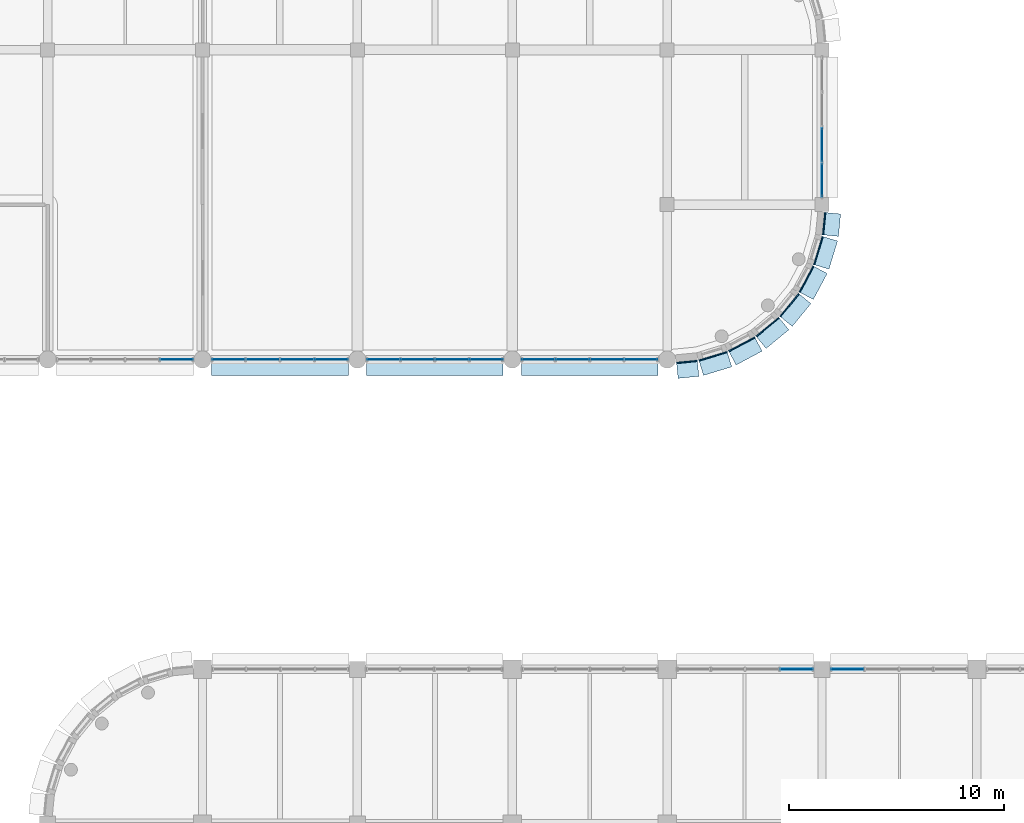
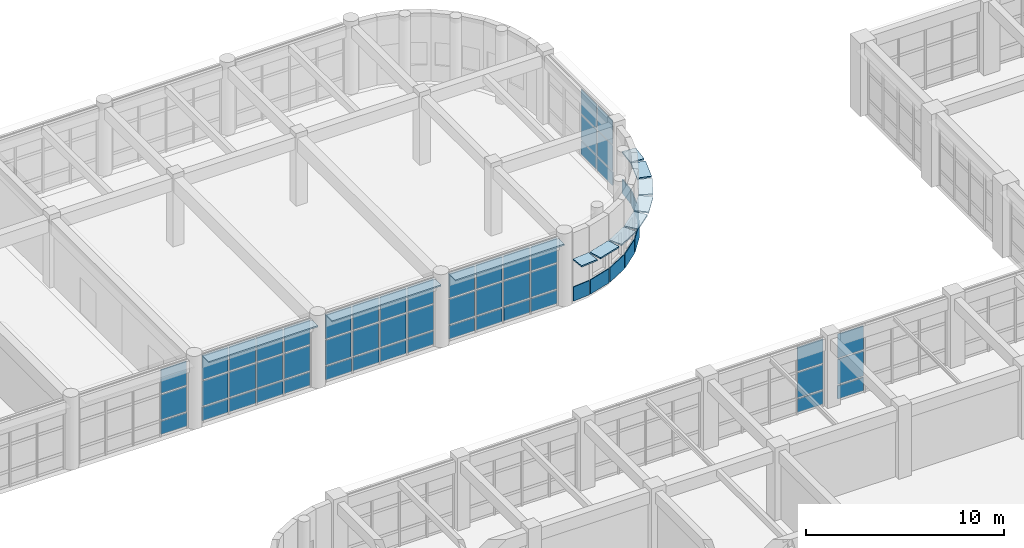
# One storey, part 125 of 171: 70 plates, 7 elements without a shape of their own.
"""IFC4 building model written with IfcOpenShell, lengths in metres."""

from ifc_helpers import new_model, si_unit, direction, frame, origin, origin_2d, place, context, subcontext, project, spatial, rectangle, extrude, material, layer, layer_set, type_object, element, aggregate, save


model = new_model("IFC4")

# Units and contexts
model_context = context("Model", 3, precision=1e-05, world=origin(), true_north=direction((0.0, 1.0)))
body_context = subcontext(model_context, "Body", "Model", "MODEL_VIEW")
ifc_project = project(units=[si_unit("LENGTHUNIT", "METRE"), si_unit("AREAUNIT", "SQUARE_METRE"), si_unit("VOLUMEUNIT", "CUBIC_METRE"), si_unit("PLANEANGLEUNIT", "RADIAN"), si_unit("MASSUNIT", "GRAM", prefix="KILO")], contexts=[model_context])

# Site, building, storey
site_placement = place(None, origin())
site = spatial("IfcSite", under=ifc_project, at=site_placement, CompositionType="ELEMENT")
building_placement = place(site_placement, origin())
building = spatial("IfcBuilding", under=site, at=building_placement, Name="Thalmaran Polytechnic", CompositionType="ELEMENT")
storey_placement = place(building_placement, frame((0.0, 0.0, 5.39990234375)))
storey = spatial("IfcBuildingStorey", under=building, at=storey_placement, Name="L01", CompositionType="ELEMENT", Elevation=5.39990234375)

# Plates
ifc_material_1 = material(Name="Anodised aluminium spandrel band", Category="aluminium")
ifc_layer_1 = layer(ifc_material_1, 0.054931640625, Name="Anodised aluminium spandrel band")
ifc_layer_set_1 = layer_set([ifc_layer_1], Name="Anodised aluminium spandrel band")
plate_type_1 = type_object("IfcPlateType", Name="PT-BD01", PredefinedType="SHEET", material=ifc_layer_set_1)
plate_1_placement = place(storey_placement, frame((93.694091796875, 56.71826171875, 0.020263671875), z_axis=(0.0, 0.0, 1.0), x_axis=(-0.09801714033, -0.995184726672, 0.0)))
element("IfcPlate", 1, at=plate_1_placement, inside=storey, type_object=plate_type_1, Name="Streamline Horizontal Spandrel Band L01-153", PredefinedType="SHEET", context=body_context, shape_type="SweptSolid", body=[
    extrude(rectangle(XDim=1.04638671875, YDim=0.054931640625, at=origin_2d()), origin(), (0.0, 0.0, 1.0), 0.8798828125),
])
for number, where, z_axis, x_axis, name in (
    (2, (93.428955078125, 55.4677734375, 0.020263671875), (0.0, 0.0, 1.0), (-0.290284677254, -0.956940335732, 0.0), "Streamline Horizontal Spandrel Band L01-154"),
    (3, (92.8779296875, 54.137451171875, 0.020263671875), (0.0, 0.0, 1.0), (-0.471396736826, -0.881921264348, 0.0), "Streamline Horizontal Spandrel Band L01-155"),
    (4, (92.089599609375, 52.9306640625, 0.020263671875), (0.0, 0.0, 1.0), (-0.634393284164, -0.773010453363, 0.0), "Streamline Horizontal Spandrel Band L01-156"),
    (5, (91.0693359375, 51.910400390625, 0.020263671875), (0.0, 0.0, 1.0), (-0.773010453363, -0.634393284164, 0.0), "Streamline Horizontal Spandrel Band L01-157"),
    (6, (89.86962890625, 51.10888671875, 0.020263671875), (0.0, 0.0, 1.0), (-0.881921264348, -0.471396736826, 0.0), "Streamline Horizontal Spandrel Band L01-158"),
    (7, (88.53662109375, 50.556640625, 0.020263671875), (0.0, 0.0, 1.0), (-0.956940335732, -0.290284677254, 0.0), "Streamline Horizontal Spandrel Band L01-159"),
):
    element("IfcPlate", number, at=place(storey_placement, frame(where, z_axis=z_axis, x_axis=x_axis)), inside=storey, type_object=plate_type_1, Name=name, PredefinedType="SHEET", context=body_context, shape_type="SweptSolid", body=[
        extrude(rectangle(XDim=1.371337890625, YDim=0.054931640625, at=origin_2d()), origin(), (0.0, 0.0, 1.0), 0.8798828125),
    ])
plate_2_placement = place(storey_placement, frame((87.320556640625, 50.294677734375, 0.020263671875), z_axis=(0.0, 0.0, 1.0), x_axis=(-0.995184726672, -0.09801714033, 0.0)))
element("IfcPlate", 8, at=plate_2_placement, inside=storey, type_object=plate_type_1, Name="Streamline Horizontal Spandrel Band L01-160", PredefinedType="SHEET", context=body_context, shape_type="SweptSolid", body=[
    extrude(rectangle(XDim=0.971435546875, YDim=0.054931640625, at=origin_2d()), origin(), (0.0, 0.0, 1.0), 0.8798828125),
])
ifc_material_2 = material(Name="Anodised aluminium sun-hood eyebrow", Category="aluminium")
ifc_layer_2 = layer(ifc_material_2, 0.0849609375, Name="Anodised aluminium sun-hood eyebrow")
ifc_layer_set_2 = layer_set([ifc_layer_2], Name="Anodised aluminium sun-hood eyebrow")
plate_type_2 = type_object("IfcPlateType", Name="PT-EB01", PredefinedType="SHEET", material=ifc_layer_set_2)
plate_3_placement = place(storey_placement, frame((94.037353515625, 56.6845703125, 2.517578125), z_axis=(0.0, 0.0, 1.0), x_axis=(-0.09801714033, -0.995184726672, 0.0)))
element("IfcPlate", 9, at=plate_3_placement, inside=storey, type_object=plate_type_2, Name="Streamline Sun-Hood Eyebrow L01-153", PredefinedType="SHEET", context=body_context, shape_type="SweptSolid", body=[
    extrude(rectangle(XDim=1.04638671875, YDim=0.760009765625, at=origin_2d()), origin(), (0.0, 0.0, 1.0), 0.0849609375),
])
for number, where, z_axis, x_axis, name in (
    (10, (93.75927734375, 55.36767578125, 2.517578125), (0.0, 0.0, 1.0), (-0.290284677254, -0.956940335732, 0.0), "Streamline Sun-Hood Eyebrow L01-154"),
    (11, (93.182373046875, 53.974853515625, 2.517578125), (0.0, 0.0, 1.0), (-0.471396736826, -0.881921264348, 0.0), "Streamline Sun-Hood Eyebrow L01-155"),
    (12, (92.356201171875, 52.711669921875, 2.517578125), (0.0, 0.0, 1.0), (-0.634393284164, -0.773010453363, 0.0), "Streamline Sun-Hood Eyebrow L01-156"),
    (13, (91.288330078125, 51.643798828125, 2.517578125), (0.0, 0.0, 1.0), (-0.773010453363, -0.634393284164, 0.0), "Streamline Sun-Hood Eyebrow L01-157"),
    (14, (90.0322265625, 50.804443359375, 2.517578125), (0.0, 0.0, 1.0), (-0.881921264348, -0.471396736826, 0.0), "Streamline Sun-Hood Eyebrow L01-158"),
    (15, (88.63671875, 50.2265625, 2.517578125), (0.0, 0.0, 1.0), (-0.956940335732, -0.290284677254, 0.0), "Streamline Sun-Hood Eyebrow L01-159"),
):
    element("IfcPlate", number, at=place(storey_placement, frame(where, z_axis=z_axis, x_axis=x_axis)), inside=storey, type_object=plate_type_2, Name=name, PredefinedType="SHEET", context=body_context, shape_type="SweptSolid", body=[
        extrude(rectangle(XDim=1.371337890625, YDim=0.760009765625, at=origin_2d()), origin(), (0.0, 0.0, 1.0), 0.0849609375),
    ])
plate_4_placement = place(storey_placement, frame((87.354248046875, 49.951416015625, 2.517578125), z_axis=(0.0, 0.0, 1.0), x_axis=(-0.995184726672, -0.09801714033, 0.0)))
element("IfcPlate", 16, at=plate_4_placement, inside=storey, type_object=plate_type_2, Name="Streamline Sun-Hood Eyebrow L01-160", PredefinedType="SHEET", context=body_context, shape_type="SweptSolid", body=[
    extrude(rectangle(XDim=0.971435546875, YDim=0.760009765625, at=origin_2d()), origin(), (0.0, 0.0, 1.0), 0.0849609375),
])
for number, where, z_axis, x_axis, name in (
    (17, (82.800048828125, 50.0400390625, 4.107666015625), (0.0, 0.0, 1.0), (-1.0, 0.0, 0.0), "Streamline Sun-Hood Eyebrow L01-CW149"),
    (18, (75.60009765625, 50.0400390625, 4.107666015625), (0.0, 0.0, 1.0), (-1.0, 0.0, 0.0), "Streamline Sun-Hood Eyebrow L01-CW150"),
    (19, (68.39990234375, 50.0400390625, 4.107666015625), (0.0, 0.0, 1.0), (-1.0, 0.0, 0.0), "Streamline Sun-Hood Eyebrow L01-CW151"),
):
    element("IfcPlate", number, at=place(storey_placement, frame(where, z_axis=z_axis, x_axis=x_axis)), inside=storey, type_object=plate_type_2, Name=name, PredefinedType="SHEET", context=body_context, shape_type="SweptSolid", body=[
        extrude(rectangle(XDim=6.360107421875, YDim=0.760009765625, at=origin_2d()), origin(), (0.0, 0.0, 1.0), 0.0849609375),
    ])

# Curtain wall, plates
ifc_material_3 = material(Name="Aluminium 6063-T6", Category="aluminium")
curtain_wall_type_1 = type_object("IfcCurtainWallType", Name="CW-SC01", PredefinedType="USERDEFINED", material=ifc_material_3)
curtain_wall_1_placement = place(storey_placement, origin())
curtain_wall_1 = element("IfcCurtainWall", 20, at=curtain_wall_1_placement, inside=storey, type_object=curtain_wall_type_1, Name="Curtain Wall CW-L01-150", ObjectType="STICK CURTAIN WALL", PredefinedType="USERDEFINED")
ifc_material_4 = material(Name="Solar-control double low-E glass", Category="glass")
ifc_layer_3 = layer(ifc_material_4, 0.035888671875, Name="Solar-control double low-E glass")
ifc_layer_set_3 = layer_set([ifc_layer_3], Name="Solar-control double low-E glass")
plate_type_3 = type_object("IfcPlateType", Name="PT-GL01", PredefinedType="CURTAIN_PANEL", material=ifc_layer_set_3)
plate_5_placement = place(storey_placement, frame((78.0, 50.39990234375, 1.000244140625), z_axis=(0.0, 0.0, 1.0), x_axis=(-1.0, 0.0, 0.0)))
plate_5 = element("IfcPlate", 21, at=plate_5_placement, type_object=plate_type_3, Name="CW-L01-150 Vision Panel 1-2", PredefinedType="CURTAIN_PANEL", context=body_context, shape_type="SweptSolid", body=[
    extrude(rectangle(XDim=1.5, YDim=0.035888671875, at=origin_2d()), origin(), (0.0, 0.0, 1.0), 1.544921875),
])
plate_6_placement = place(storey_placement, frame((78.0, 50.39990234375, 2.625), z_axis=(0.0, 0.0, 1.0), x_axis=(-1.0, 0.0, 0.0)))
plate_6 = element("IfcPlate", 22, at=plate_6_placement, type_object=plate_type_3, Name="CW-L01-150 Vision Panel 1-3", PredefinedType="CURTAIN_PANEL", context=body_context, shape_type="SweptSolid", body=[
    extrude(rectangle(XDim=1.5, YDim=0.035888671875, at=origin_2d()), origin(), (0.0, 0.0, 1.0), 1.485107421875),
])
plate_7_placement = place(storey_placement, frame((76.39990234375, 50.39990234375, 1.000244140625), z_axis=(0.0, 0.0, 1.0), x_axis=(-1.0, 0.0, 0.0)))
plate_7 = element("IfcPlate", 23, at=plate_7_placement, type_object=plate_type_3, Name="CW-L01-150 Vision Panel 2-2", PredefinedType="CURTAIN_PANEL", context=body_context, shape_type="SweptSolid", body=[
    extrude(rectangle(XDim=1.5, YDim=0.035888671875, at=origin_2d()), origin(), (0.0, 0.0, 1.0), 1.544921875),
])
plate_8_placement = place(storey_placement, frame((76.39990234375, 50.39990234375, 2.625), z_axis=(0.0, 0.0, 1.0), x_axis=(-1.0, 0.0, 0.0)))
plate_8 = element("IfcPlate", 24, at=plate_8_placement, type_object=plate_type_3, Name="CW-L01-150 Vision Panel 2-3", PredefinedType="CURTAIN_PANEL", context=body_context, shape_type="SweptSolid", body=[
    extrude(rectangle(XDim=1.5, YDim=0.035888671875, at=origin_2d()), origin(), (0.0, 0.0, 1.0), 1.485107421875),
])
plate_9_placement = place(storey_placement, frame((74.800048828125, 50.39990234375, 1.000244140625), z_axis=(0.0, 0.0, 1.0), x_axis=(-1.0, 0.0, 0.0)))
plate_9 = element("IfcPlate", 25, at=plate_9_placement, type_object=plate_type_3, Name="CW-L01-150 Vision Panel 3-2", PredefinedType="CURTAIN_PANEL", context=body_context, shape_type="SweptSolid", body=[
    extrude(rectangle(XDim=1.5, YDim=0.035888671875, at=origin_2d()), origin(), (0.0, 0.0, 1.0), 1.544921875),
])
plate_10_placement = place(storey_placement, frame((74.800048828125, 50.39990234375, 2.625), z_axis=(0.0, 0.0, 1.0), x_axis=(-1.0, 0.0, 0.0)))
plate_10 = element("IfcPlate", 26, at=plate_10_placement, type_object=plate_type_3, Name="CW-L01-150 Vision Panel 3-3", PredefinedType="CURTAIN_PANEL", context=body_context, shape_type="SweptSolid", body=[
    extrude(rectangle(XDim=1.5, YDim=0.035888671875, at=origin_2d()), origin(), (0.0, 0.0, 1.0), 1.485107421875),
])
plate_11_placement = place(storey_placement, frame((73.199951171875, 50.39990234375, 1.000244140625), z_axis=(0.0, 0.0, 1.0), x_axis=(-1.0, 0.0, 0.0)))
plate_11 = element("IfcPlate", 27, at=plate_11_placement, type_object=plate_type_3, Name="CW-L01-150 Vision Panel 4-2", PredefinedType="CURTAIN_PANEL", context=body_context, shape_type="SweptSolid", body=[
    extrude(rectangle(XDim=1.5, YDim=0.035888671875, at=origin_2d()), origin(), (0.0, 0.0, 1.0), 1.544921875),
])
plate_12_placement = place(storey_placement, frame((73.199951171875, 50.39990234375, 2.625), z_axis=(0.0, 0.0, 1.0), x_axis=(-1.0, 0.0, 0.0)))
plate_12 = element("IfcPlate", 28, at=plate_12_placement, type_object=plate_type_3, Name="CW-L01-150 Vision Panel 4-3", PredefinedType="CURTAIN_PANEL", context=body_context, shape_type="SweptSolid", body=[
    extrude(rectangle(XDim=1.5, YDim=0.035888671875, at=origin_2d()), origin(), (0.0, 0.0, 1.0), 1.485107421875),
])

curtain_wall_2_placement = place(storey_placement, origin())
curtain_wall_2 = element("IfcCurtainWall", 29, at=curtain_wall_2_placement, inside=storey, type_object=curtain_wall_type_1, Name="Curtain Wall CW-L01-151", ObjectType="STICK CURTAIN WALL", PredefinedType="USERDEFINED")
ifc_layer_4 = layer(ifc_material_4, 0.035888671875, Name="Solar-control double low-E glass")
ifc_layer_set_4 = layer_set([ifc_layer_4], Name="Solar-control double low-E glass")
plate_type_4 = type_object("IfcPlateType", Name="PT-GL02", PredefinedType="CURTAIN_PANEL", material=ifc_layer_set_4)
plate_13_placement = place(storey_placement, frame((70.800048828125, 50.39990234375, 1.000244140625), z_axis=(0.0, 0.0, 1.0), x_axis=(-1.0, 0.0, 0.0)))
plate_13 = element("IfcPlate", 30, at=plate_13_placement, type_object=plate_type_4, Name="CW-L01-151 Vision Panel 1-2", PredefinedType="CURTAIN_PANEL", context=body_context, shape_type="SweptSolid", body=[
    extrude(rectangle(XDim=1.5, YDim=0.035888671875, at=origin_2d()), origin(), (0.0, 0.0, 1.0), 1.544921875),
])
plate_14_placement = place(storey_placement, frame((70.800048828125, 50.39990234375, 2.625), z_axis=(0.0, 0.0, 1.0), x_axis=(-1.0, 0.0, 0.0)))
plate_14 = element("IfcPlate", 31, at=plate_14_placement, type_object=plate_type_4, Name="CW-L01-151 Vision Panel 1-3", PredefinedType="CURTAIN_PANEL", context=body_context, shape_type="SweptSolid", body=[
    extrude(rectangle(XDim=1.5, YDim=0.035888671875, at=origin_2d()), origin(), (0.0, 0.0, 1.0), 1.485107421875),
])
plate_15_placement = place(storey_placement, frame((69.199951171875, 50.39990234375, 1.000244140625), z_axis=(0.0, 0.0, 1.0), x_axis=(-1.0, 0.0, 0.0)))
plate_15 = element("IfcPlate", 32, at=plate_15_placement, type_object=plate_type_4, Name="CW-L01-151 Vision Panel 2-2", PredefinedType="CURTAIN_PANEL", context=body_context, shape_type="SweptSolid", body=[
    extrude(rectangle(XDim=1.5, YDim=0.035888671875, at=origin_2d()), origin(), (0.0, 0.0, 1.0), 1.544921875),
])
plate_16_placement = place(storey_placement, frame((69.199951171875, 50.39990234375, 2.625), z_axis=(0.0, 0.0, 1.0), x_axis=(-1.0, 0.0, 0.0)))
plate_16 = element("IfcPlate", 33, at=plate_16_placement, type_object=plate_type_4, Name="CW-L01-151 Vision Panel 2-3", PredefinedType="CURTAIN_PANEL", context=body_context, shape_type="SweptSolid", body=[
    extrude(rectangle(XDim=1.5, YDim=0.035888671875, at=origin_2d()), origin(), (0.0, 0.0, 1.0), 1.485107421875),
])
plate_17_placement = place(storey_placement, frame((67.60009765625, 50.39990234375, 1.000244140625), z_axis=(0.0, 0.0, 1.0), x_axis=(-1.0, 0.0, 0.0)))
plate_17 = element("IfcPlate", 34, at=plate_17_placement, type_object=plate_type_4, Name="CW-L01-151 Vision Panel 3-2", PredefinedType="CURTAIN_PANEL", context=body_context, shape_type="SweptSolid", body=[
    extrude(rectangle(XDim=1.5, YDim=0.035888671875, at=origin_2d()), origin(), (0.0, 0.0, 1.0), 1.544921875),
])
plate_18_placement = place(storey_placement, frame((67.60009765625, 50.39990234375, 2.625), z_axis=(0.0, 0.0, 1.0), x_axis=(-1.0, 0.0, 0.0)))
plate_18 = element("IfcPlate", 35, at=plate_18_placement, type_object=plate_type_4, Name="CW-L01-151 Vision Panel 3-3", PredefinedType="CURTAIN_PANEL", context=body_context, shape_type="SweptSolid", body=[
    extrude(rectangle(XDim=1.5, YDim=0.035888671875, at=origin_2d()), origin(), (0.0, 0.0, 1.0), 1.485107421875),
])
plate_19_placement = place(storey_placement, frame((66.0, 50.39990234375, 1.000244140625), z_axis=(0.0, 0.0, 1.0), x_axis=(-1.0, 0.0, 0.0)))
plate_19 = element("IfcPlate", 36, at=plate_19_placement, type_object=plate_type_4, Name="CW-L01-151 Vision Panel 4-2", PredefinedType="CURTAIN_PANEL", context=body_context, shape_type="SweptSolid", body=[
    extrude(rectangle(XDim=1.5, YDim=0.035888671875, at=origin_2d()), origin(), (0.0, 0.0, 1.0), 1.544921875),
])
plate_20_placement = place(storey_placement, frame((66.0, 50.39990234375, 2.625), z_axis=(0.0, 0.0, 1.0), x_axis=(-1.0, 0.0, 0.0)))
plate_20 = element("IfcPlate", 37, at=plate_20_placement, type_object=plate_type_4, Name="CW-L01-151 Vision Panel 4-3", PredefinedType="CURTAIN_PANEL", context=body_context, shape_type="SweptSolid", body=[
    extrude(rectangle(XDim=1.5, YDim=0.035888671875, at=origin_2d()), origin(), (0.0, 0.0, 1.0), 1.485107421875),
])

curtain_wall_type_2 = type_object("IfcCurtainWallType", Name="CW-UC02", PredefinedType="USERDEFINED", material=ifc_material_3)
curtain_wall_3_placement = place(storey_placement, origin())
curtain_wall_3 = element("IfcCurtainWall", 38, at=curtain_wall_3_placement, inside=storey, type_object=curtain_wall_type_2, Name="Curtain Wall CW-L01-171", ObjectType="UNITISED CURTAIN WALL", PredefinedType="USERDEFINED")
plate_21_placement = place(storey_placement, frame((92.425048828125, 36.0, 1.000244140625), z_axis=(0.0, 0.0, 1.0), x_axis=(1.0, 0.0, 0.0)))
plate_21 = element("IfcPlate", 39, at=plate_21_placement, type_object=plate_type_4, Name="CW-L01-171 Vision Panel 4-2", PredefinedType="CURTAIN_PANEL", context=body_context, shape_type="SweptSolid", body=[
    extrude(rectangle(XDim=1.5, YDim=0.035888671875, at=origin_2d()), origin(), (0.0, 0.0, 1.0), 1.544921875),
])
plate_22_placement = place(storey_placement, frame((92.425048828125, 36.0, 2.625), z_axis=(0.0, 0.0, 1.0), x_axis=(1.0, 0.0, 0.0)))
plate_22 = element("IfcPlate", 40, at=plate_22_placement, type_object=plate_type_4, Name="CW-L01-171 Vision Panel 4-3", PredefinedType="CURTAIN_PANEL", context=body_context, shape_type="SweptSolid", body=[
    extrude(rectangle(XDim=1.5, YDim=0.035888671875, at=origin_2d()), origin(), (0.0, 0.0, 1.0), 1.485107421875),
])

curtain_wall_4_placement = place(storey_placement, origin())
curtain_wall_4 = element("IfcCurtainWall", 41, at=curtain_wall_4_placement, inside=storey, type_object=curtain_wall_type_1, Name="Curtain Wall CW-L01-152", ObjectType="STICK CURTAIN WALL", PredefinedType="USERDEFINED")
ifc_layer_5 = layer(ifc_material_4, 0.035888671875, Name="Solar-control double low-E glass")
ifc_layer_set_5 = layer_set([ifc_layer_5], Name="Solar-control double low-E glass")
plate_type_5 = type_object("IfcPlateType", Name="PT-GL03", PredefinedType="CURTAIN_PANEL", material=ifc_layer_set_5)
plate_23_placement = place(storey_placement, frame((63.60009765625, 50.39990234375, 1.000244140625), z_axis=(0.0, 0.0, 1.0), x_axis=(-1.0, 0.0, 0.0)))
plate_23 = element("IfcPlate", 42, at=plate_23_placement, type_object=plate_type_5, Name="CW-L01-152 Vision Panel 1-2", PredefinedType="CURTAIN_PANEL", context=body_context, shape_type="SweptSolid", body=[
    extrude(rectangle(XDim=1.5, YDim=0.035888671875, at=origin_2d()), origin(), (0.0, 0.0, 1.0), 1.544921875),
])
plate_24_placement = place(storey_placement, frame((63.60009765625, 50.39990234375, 2.625), z_axis=(0.0, 0.0, 1.0), x_axis=(-1.0, 0.0, 0.0)))
plate_24 = element("IfcPlate", 43, at=plate_24_placement, type_object=plate_type_5, Name="CW-L01-152 Vision Panel 1-3", PredefinedType="CURTAIN_PANEL", context=body_context, shape_type="SweptSolid", body=[
    extrude(rectangle(XDim=1.5, YDim=0.035888671875, at=origin_2d()), origin(), (0.0, 0.0, 1.0), 1.485107421875),
])

curtain_wall_5_placement = place(storey_placement, origin())
curtain_wall_5 = element("IfcCurtainWall", 44, at=curtain_wall_5_placement, inside=storey, type_object=curtain_wall_type_2, Name="Curtain Wall CW-L01-172", ObjectType="UNITISED CURTAIN WALL", PredefinedType="USERDEFINED")
plate_25_placement = place(storey_placement, frame((94.77490234375, 36.0, 1.000244140625), z_axis=(0.0, 0.0, 1.0), x_axis=(1.0, 0.0, 0.0)))
plate_25 = element("IfcPlate", 45, at=plate_25_placement, type_object=plate_type_5, Name="CW-L01-172 Vision Panel 1-2", PredefinedType="CURTAIN_PANEL", context=body_context, shape_type="SweptSolid", body=[
    extrude(rectangle(XDim=1.5, YDim=0.035888671875, at=origin_2d()), origin(), (0.0, 0.0, 1.0), 1.544921875),
])
plate_26_placement = place(storey_placement, frame((94.77490234375, 36.0, 2.625), z_axis=(0.0, 0.0, 1.0), x_axis=(1.0, 0.0, 0.0)))
plate_26 = element("IfcPlate", 46, at=plate_26_placement, type_object=plate_type_5, Name="CW-L01-172 Vision Panel 1-3", PredefinedType="CURTAIN_PANEL", context=body_context, shape_type="SweptSolid", body=[
    extrude(rectangle(XDim=1.5, YDim=0.035888671875, at=origin_2d()), origin(), (0.0, 0.0, 1.0), 1.485107421875),
])

curtain_wall_6_placement = place(storey_placement, origin())
curtain_wall_6 = element("IfcCurtainWall", 47, at=curtain_wall_6_placement, inside=storey, type_object=curtain_wall_type_1, Name="Curtain Wall CW-L01-148", ObjectType="STICK CURTAIN WALL", PredefinedType="USERDEFINED")
ifc_layer_6 = layer(ifc_material_4, 0.035888671875, Name="Solar-control double low-E glass")
ifc_layer_set_6 = layer_set([ifc_layer_6], Name="Solar-control double low-E glass")
plate_type_6 = type_object("IfcPlateType", Name="PT-GL04", PredefinedType="CURTAIN_PANEL", material=ifc_layer_set_6)
plate_27_placement = place(storey_placement, frame((93.60009765625, 60.38134765625, 1.000244140625), z_axis=(0.0, 0.0, 1.0), x_axis=(0.0, -1.0, 0.0)))
plate_27 = element("IfcPlate", 48, at=plate_27_placement, type_object=plate_type_6, Name="CW-L01-148 Vision Panel 3-2", PredefinedType="CURTAIN_PANEL", context=body_context, shape_type="SweptSolid", body=[
    extrude(rectangle(XDim=1.53759765625, YDim=0.035888671875, at=origin_2d()), origin(), (0.0, 0.0, 1.0), 1.544921875),
])
plate_28_placement = place(storey_placement, frame((93.60009765625, 60.38134765625, 2.625), z_axis=(0.0, 0.0, 1.0), x_axis=(0.0, -1.0, 0.0)))
plate_28 = element("IfcPlate", 49, at=plate_28_placement, type_object=plate_type_6, Name="CW-L01-148 Vision Panel 3-3", PredefinedType="CURTAIN_PANEL", context=body_context, shape_type="SweptSolid", body=[
    extrude(rectangle(XDim=1.53759765625, YDim=0.035888671875, at=origin_2d()), origin(), (0.0, 0.0, 1.0), 1.485107421875),
])
plate_29_placement = place(storey_placement, frame((93.60009765625, 58.74365234375, 1.000244140625), z_axis=(0.0, 0.0, 1.0), x_axis=(0.0, -1.0, 0.0)))
plate_29 = element("IfcPlate", 50, at=plate_29_placement, type_object=plate_type_6, Name="CW-L01-148 Vision Panel 4-2", PredefinedType="CURTAIN_PANEL", context=body_context, shape_type="SweptSolid", body=[
    extrude(rectangle(XDim=1.53759765625, YDim=0.035888671875, at=origin_2d()), origin(), (0.0, 0.0, 1.0), 1.544921875),
])
plate_30_placement = place(storey_placement, frame((93.60009765625, 58.74365234375, 2.625), z_axis=(0.0, 0.0, 1.0), x_axis=(0.0, -1.0, 0.0)))
plate_30 = element("IfcPlate", 51, at=plate_30_placement, type_object=plate_type_6, Name="CW-L01-148 Vision Panel 4-3", PredefinedType="CURTAIN_PANEL", context=body_context, shape_type="SweptSolid", body=[
    extrude(rectangle(XDim=1.53759765625, YDim=0.035888671875, at=origin_2d()), origin(), (0.0, 0.0, 1.0), 1.485107421875),
])

curtain_wall_7_placement = place(storey_placement, origin())
curtain_wall_7 = element("IfcCurtainWall", 52, at=curtain_wall_7_placement, inside=storey, type_object=curtain_wall_type_1, Name="Curtain Wall CW-L01-149", ObjectType="STICK CURTAIN WALL", PredefinedType="USERDEFINED")
ifc_layer_7 = layer(ifc_material_4, 0.035888671875, Name="Solar-control double low-E glass")
ifc_layer_set_7 = layer_set([ifc_layer_7], Name="Solar-control double low-E glass")
plate_type_7 = type_object("IfcPlateType", Name="PT-GL05", PredefinedType="CURTAIN_PANEL", material=ifc_layer_set_7)
plate_31_placement = place(storey_placement, frame((85.199951171875, 50.39990234375, 1.000244140625), z_axis=(0.0, 0.0, 1.0), x_axis=(-1.0, 0.0, 0.0)))
plate_31 = element("IfcPlate", 53, at=plate_31_placement, type_object=plate_type_7, Name="CW-L01-149 Vision Panel 1-2", PredefinedType="CURTAIN_PANEL", context=body_context, shape_type="SweptSolid", body=[
    extrude(rectangle(XDim=1.5, YDim=0.035888671875, at=origin_2d()), origin(), (0.0, 0.0, 1.0), 1.544921875),
])
plate_32_placement = place(storey_placement, frame((85.199951171875, 50.39990234375, 2.625), z_axis=(0.0, 0.0, 1.0), x_axis=(-1.0, 0.0, 0.0)))
plate_32 = element("IfcPlate", 54, at=plate_32_placement, type_object=plate_type_7, Name="CW-L01-149 Vision Panel 1-3", PredefinedType="CURTAIN_PANEL", context=body_context, shape_type="SweptSolid", body=[
    extrude(rectangle(XDim=1.5, YDim=0.035888671875, at=origin_2d()), origin(), (0.0, 0.0, 1.0), 1.485107421875),
])
plate_33_placement = place(storey_placement, frame((83.60009765625, 50.39990234375, 1.000244140625), z_axis=(0.0, 0.0, 1.0), x_axis=(-1.0, 0.0, 0.0)))
plate_33 = element("IfcPlate", 55, at=plate_33_placement, type_object=plate_type_7, Name="CW-L01-149 Vision Panel 2-2", PredefinedType="CURTAIN_PANEL", context=body_context, shape_type="SweptSolid", body=[
    extrude(rectangle(XDim=1.5, YDim=0.035888671875, at=origin_2d()), origin(), (0.0, 0.0, 1.0), 1.544921875),
])
plate_34_placement = place(storey_placement, frame((83.60009765625, 50.39990234375, 2.625), z_axis=(0.0, 0.0, 1.0), x_axis=(-1.0, 0.0, 0.0)))
plate_34 = element("IfcPlate", 56, at=plate_34_placement, type_object=plate_type_7, Name="CW-L01-149 Vision Panel 2-3", PredefinedType="CURTAIN_PANEL", context=body_context, shape_type="SweptSolid", body=[
    extrude(rectangle(XDim=1.5, YDim=0.035888671875, at=origin_2d()), origin(), (0.0, 0.0, 1.0), 1.485107421875),
])
plate_35_placement = place(storey_placement, frame((82.0, 50.39990234375, 1.000244140625), z_axis=(0.0, 0.0, 1.0), x_axis=(-1.0, 0.0, 0.0)))
plate_35 = element("IfcPlate", 57, at=plate_35_placement, type_object=plate_type_7, Name="CW-L01-149 Vision Panel 3-2", PredefinedType="CURTAIN_PANEL", context=body_context, shape_type="SweptSolid", body=[
    extrude(rectangle(XDim=1.5, YDim=0.035888671875, at=origin_2d()), origin(), (0.0, 0.0, 1.0), 1.544921875),
])
plate_36_placement = place(storey_placement, frame((82.0, 50.39990234375, 2.625), z_axis=(0.0, 0.0, 1.0), x_axis=(-1.0, 0.0, 0.0)))
plate_36 = element("IfcPlate", 58, at=plate_36_placement, type_object=plate_type_7, Name="CW-L01-149 Vision Panel 3-3", PredefinedType="CURTAIN_PANEL", context=body_context, shape_type="SweptSolid", body=[
    extrude(rectangle(XDim=1.5, YDim=0.035888671875, at=origin_2d()), origin(), (0.0, 0.0, 1.0), 1.485107421875),
])
plate_37_placement = place(storey_placement, frame((80.39990234375, 50.39990234375, 1.000244140625), z_axis=(0.0, 0.0, 1.0), x_axis=(-1.0, 0.0, 0.0)))
plate_37 = element("IfcPlate", 59, at=plate_37_placement, type_object=plate_type_7, Name="CW-L01-149 Vision Panel 4-2", PredefinedType="CURTAIN_PANEL", context=body_context, shape_type="SweptSolid", body=[
    extrude(rectangle(XDim=1.5, YDim=0.035888671875, at=origin_2d()), origin(), (0.0, 0.0, 1.0), 1.544921875),
])
plate_38_placement = place(storey_placement, frame((80.39990234375, 50.39990234375, 2.625), z_axis=(0.0, 0.0, 1.0), x_axis=(-1.0, 0.0, 0.0)))
plate_38 = element("IfcPlate", 60, at=plate_38_placement, type_object=plate_type_7, Name="CW-L01-149 Vision Panel 4-3", PredefinedType="CURTAIN_PANEL", context=body_context, shape_type="SweptSolid", body=[
    extrude(rectangle(XDim=1.5, YDim=0.035888671875, at=origin_2d()), origin(), (0.0, 0.0, 1.0), 1.485107421875),
])

# Plate
ifc_material_5 = material(Name="Insulated anodised aluminium spandrel", Category="aluminium")
ifc_layer_8 = layer(ifc_material_5, 0.06005859375, Name="Insulated anodised aluminium spandrel")
ifc_layer_set_8 = layer_set([ifc_layer_8], Name="Insulated anodised aluminium spandrel")
plate_type_8 = type_object("IfcPlateType", Name="PT-SP01", PredefinedType="CURTAIN_PANEL", material=ifc_layer_set_8)
plate_39_placement = place(storey_placement, frame((78.0, 50.39990234375, 0.10009765625), z_axis=(0.0, 0.0, 1.0), x_axis=(-1.0, 0.0, 0.0)))
plate_39 = element("IfcPlate", 61, at=plate_39_placement, type_object=plate_type_8, Name="CW-L01-150 Spandrel Panel 1-1", PredefinedType="CURTAIN_PANEL", context=body_context, shape_type="SweptSolid", body=[
    extrude(rectangle(XDim=1.5, YDim=0.06005859375, at=origin_2d()), origin(), (0.0, 0.0, 1.0), 0.820068359375),
])

plate_40_placement = place(storey_placement, frame((76.39990234375, 50.39990234375, 0.10009765625), z_axis=(0.0, 0.0, 1.0), x_axis=(-1.0, 0.0, 0.0)))
plate_40 = element("IfcPlate", 62, at=plate_40_placement, type_object=plate_type_8, Name="CW-L01-150 Spandrel Panel 2-1", PredefinedType="CURTAIN_PANEL", context=body_context, shape_type="SweptSolid", body=[
    extrude(rectangle(XDim=1.5, YDim=0.06005859375, at=origin_2d()), origin(), (0.0, 0.0, 1.0), 0.820068359375),
])

plate_41_placement = place(storey_placement, frame((74.800048828125, 50.39990234375, 0.10009765625), z_axis=(0.0, 0.0, 1.0), x_axis=(-1.0, 0.0, 0.0)))
plate_41 = element("IfcPlate", 63, at=plate_41_placement, type_object=plate_type_8, Name="CW-L01-150 Spandrel Panel 3-1", PredefinedType="CURTAIN_PANEL", context=body_context, shape_type="SweptSolid", body=[
    extrude(rectangle(XDim=1.5, YDim=0.06005859375, at=origin_2d()), origin(), (0.0, 0.0, 1.0), 0.820068359375),
])

plate_42_placement = place(storey_placement, frame((73.199951171875, 50.39990234375, 0.10009765625), z_axis=(0.0, 0.0, 1.0), x_axis=(-1.0, 0.0, 0.0)))
plate_42 = element("IfcPlate", 64, at=plate_42_placement, type_object=plate_type_8, Name="CW-L01-150 Spandrel Panel 4-1", PredefinedType="CURTAIN_PANEL", context=body_context, shape_type="SweptSolid", body=[
    extrude(rectangle(XDim=1.5, YDim=0.06005859375, at=origin_2d()), origin(), (0.0, 0.0, 1.0), 0.820068359375),
])

aggregate(curtain_wall_1, [plate_39, plate_5, plate_6, plate_40, plate_7, plate_8, plate_41, plate_9, plate_10, plate_42, plate_11, plate_12])

plate_43_placement = place(storey_placement, frame((92.425048828125, 36.0, 0.10009765625), z_axis=(0.0, 0.0, 1.0), x_axis=(1.0, 0.0, 0.0)))
plate_43 = element("IfcPlate", 65, at=plate_43_placement, type_object=plate_type_8, Name="CW-L01-171 Spandrel Panel 4-1", PredefinedType="CURTAIN_PANEL", context=body_context, shape_type="SweptSolid", body=[
    extrude(rectangle(XDim=1.5, YDim=0.06005859375, at=origin_2d()), origin(), (0.0, 0.0, 1.0), 0.820068359375),
])

aggregate(curtain_wall_3, [plate_43, plate_21, plate_22])

ifc_layer_9 = layer(ifc_material_5, 0.06005859375, Name="Insulated anodised aluminium spandrel")
ifc_layer_set_9 = layer_set([ifc_layer_9], Name="Insulated anodised aluminium spandrel")
plate_type_9 = type_object("IfcPlateType", Name="PT-SP02", PredefinedType="CURTAIN_PANEL", material=ifc_layer_set_9)
plate_44_placement = place(storey_placement, frame((93.60009765625, 60.38134765625, 0.10009765625), z_axis=(0.0, 0.0, 1.0), x_axis=(0.0, -1.0, 0.0)))
plate_44 = element("IfcPlate", 66, at=plate_44_placement, type_object=plate_type_9, Name="CW-L01-148 Spandrel Panel 3-1", PredefinedType="CURTAIN_PANEL", context=body_context, shape_type="SweptSolid", body=[
    extrude(rectangle(XDim=1.53759765625, YDim=0.06005859375, at=origin_2d()), origin(), (0.0, 0.0, 1.0), 0.820068359375),
])

plate_45_placement = place(storey_placement, frame((93.60009765625, 58.74365234375, 0.10009765625), z_axis=(0.0, 0.0, 1.0), x_axis=(0.0, -1.0, 0.0)))
plate_45 = element("IfcPlate", 67, at=plate_45_placement, type_object=plate_type_9, Name="CW-L01-148 Spandrel Panel 4-1", PredefinedType="CURTAIN_PANEL", context=body_context, shape_type="SweptSolid", body=[
    extrude(rectangle(XDim=1.53759765625, YDim=0.06005859375, at=origin_2d()), origin(), (0.0, 0.0, 1.0), 0.820068359375),
])

aggregate(curtain_wall_6, [plate_44, plate_27, plate_28, plate_45, plate_29, plate_30])

plate_46_placement = place(storey_placement, frame((70.800048828125, 50.39990234375, 0.10009765625), z_axis=(0.0, 0.0, 1.0), x_axis=(-1.0, 0.0, 0.0)))
plate_46 = element("IfcPlate", 68, at=plate_46_placement, type_object=plate_type_9, Name="CW-L01-151 Spandrel Panel 1-1", PredefinedType="CURTAIN_PANEL", context=body_context, shape_type="SweptSolid", body=[
    extrude(rectangle(XDim=1.5, YDim=0.06005859375, at=origin_2d()), origin(), (0.0, 0.0, 1.0), 0.820068359375),
])

plate_47_placement = place(storey_placement, frame((69.199951171875, 50.39990234375, 0.10009765625), z_axis=(0.0, 0.0, 1.0), x_axis=(-1.0, 0.0, 0.0)))
plate_47 = element("IfcPlate", 69, at=plate_47_placement, type_object=plate_type_9, Name="CW-L01-151 Spandrel Panel 2-1", PredefinedType="CURTAIN_PANEL", context=body_context, shape_type="SweptSolid", body=[
    extrude(rectangle(XDim=1.5, YDim=0.06005859375, at=origin_2d()), origin(), (0.0, 0.0, 1.0), 0.820068359375),
])

plate_48_placement = place(storey_placement, frame((67.60009765625, 50.39990234375, 0.10009765625), z_axis=(0.0, 0.0, 1.0), x_axis=(-1.0, 0.0, 0.0)))
plate_48 = element("IfcPlate", 70, at=plate_48_placement, type_object=plate_type_9, Name="CW-L01-151 Spandrel Panel 3-1", PredefinedType="CURTAIN_PANEL", context=body_context, shape_type="SweptSolid", body=[
    extrude(rectangle(XDim=1.5, YDim=0.06005859375, at=origin_2d()), origin(), (0.0, 0.0, 1.0), 0.820068359375),
])

plate_49_placement = place(storey_placement, frame((66.0, 50.39990234375, 0.10009765625), z_axis=(0.0, 0.0, 1.0), x_axis=(-1.0, 0.0, 0.0)))
plate_49 = element("IfcPlate", 71, at=plate_49_placement, type_object=plate_type_9, Name="CW-L01-151 Spandrel Panel 4-1", PredefinedType="CURTAIN_PANEL", context=body_context, shape_type="SweptSolid", body=[
    extrude(rectangle(XDim=1.5, YDim=0.06005859375, at=origin_2d()), origin(), (0.0, 0.0, 1.0), 0.820068359375),
])

aggregate(curtain_wall_2, [plate_46, plate_13, plate_14, plate_47, plate_15, plate_16, plate_48, plate_17, plate_18, plate_49, plate_19, plate_20])

plate_50_placement = place(storey_placement, frame((94.77490234375, 36.0, 0.10009765625), z_axis=(0.0, 0.0, 1.0), x_axis=(1.0, 0.0, 0.0)))
plate_50 = element("IfcPlate", 72, at=plate_50_placement, type_object=plate_type_9, Name="CW-L01-172 Spandrel Panel 1-1", PredefinedType="CURTAIN_PANEL", context=body_context, shape_type="SweptSolid", body=[
    extrude(rectangle(XDim=1.5, YDim=0.06005859375, at=origin_2d()), origin(), (0.0, 0.0, 1.0), 0.820068359375),
])

aggregate(curtain_wall_5, [plate_50, plate_25, plate_26])

ifc_layer_10 = layer(ifc_material_5, 0.06005859375, Name="Insulated anodised aluminium spandrel")
ifc_layer_set_10 = layer_set([ifc_layer_10], Name="Insulated anodised aluminium spandrel")
plate_type_10 = type_object("IfcPlateType", Name="PT-SP03", PredefinedType="CURTAIN_PANEL", material=ifc_layer_set_10)
plate_51_placement = place(storey_placement, frame((85.199951171875, 50.39990234375, 0.10009765625), z_axis=(0.0, 0.0, 1.0), x_axis=(-1.0, 0.0, 0.0)))
plate_51 = element("IfcPlate", 73, at=plate_51_placement, type_object=plate_type_10, Name="CW-L01-149 Spandrel Panel 1-1", PredefinedType="CURTAIN_PANEL", context=body_context, shape_type="SweptSolid", body=[
    extrude(rectangle(XDim=1.5, YDim=0.06005859375, at=origin_2d()), origin(), (0.0, 0.0, 1.0), 0.820068359375),
])

plate_52_placement = place(storey_placement, frame((83.60009765625, 50.39990234375, 0.10009765625), z_axis=(0.0, 0.0, 1.0), x_axis=(-1.0, 0.0, 0.0)))
plate_52 = element("IfcPlate", 74, at=plate_52_placement, type_object=plate_type_10, Name="CW-L01-149 Spandrel Panel 2-1", PredefinedType="CURTAIN_PANEL", context=body_context, shape_type="SweptSolid", body=[
    extrude(rectangle(XDim=1.5, YDim=0.06005859375, at=origin_2d()), origin(), (0.0, 0.0, 1.0), 0.820068359375),
])

plate_53_placement = place(storey_placement, frame((82.0, 50.39990234375, 0.10009765625), z_axis=(0.0, 0.0, 1.0), x_axis=(-1.0, 0.0, 0.0)))
plate_53 = element("IfcPlate", 75, at=plate_53_placement, type_object=plate_type_10, Name="CW-L01-149 Spandrel Panel 3-1", PredefinedType="CURTAIN_PANEL", context=body_context, shape_type="SweptSolid", body=[
    extrude(rectangle(XDim=1.5, YDim=0.06005859375, at=origin_2d()), origin(), (0.0, 0.0, 1.0), 0.820068359375),
])

plate_54_placement = place(storey_placement, frame((80.39990234375, 50.39990234375, 0.10009765625), z_axis=(0.0, 0.0, 1.0), x_axis=(-1.0, 0.0, 0.0)))
plate_54 = element("IfcPlate", 76, at=plate_54_placement, type_object=plate_type_10, Name="CW-L01-149 Spandrel Panel 4-1", PredefinedType="CURTAIN_PANEL", context=body_context, shape_type="SweptSolid", body=[
    extrude(rectangle(XDim=1.5, YDim=0.06005859375, at=origin_2d()), origin(), (0.0, 0.0, 1.0), 0.820068359375),
])

aggregate(curtain_wall_7, [plate_51, plate_31, plate_32, plate_52, plate_33, plate_34, plate_53, plate_35, plate_36, plate_54, plate_37, plate_38])

plate_55_placement = place(storey_placement, frame((63.60009765625, 50.39990234375, 0.10009765625), z_axis=(0.0, 0.0, 1.0), x_axis=(-1.0, 0.0, 0.0)))
plate_55 = element("IfcPlate", 77, at=plate_55_placement, type_object=plate_type_10, Name="CW-L01-152 Spandrel Panel 1-1", PredefinedType="CURTAIN_PANEL", context=body_context, shape_type="SweptSolid", body=[
    extrude(rectangle(XDim=1.5, YDim=0.06005859375, at=origin_2d()), origin(), (0.0, 0.0, 1.0), 0.820068359375),
])

aggregate(curtain_wall_4, [plate_55, plate_23, plate_24])

save(model, "model.ifc")
